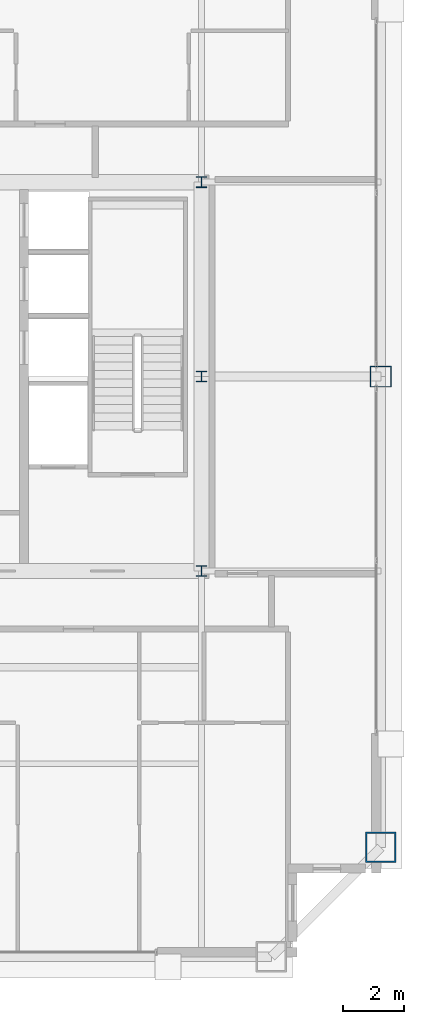
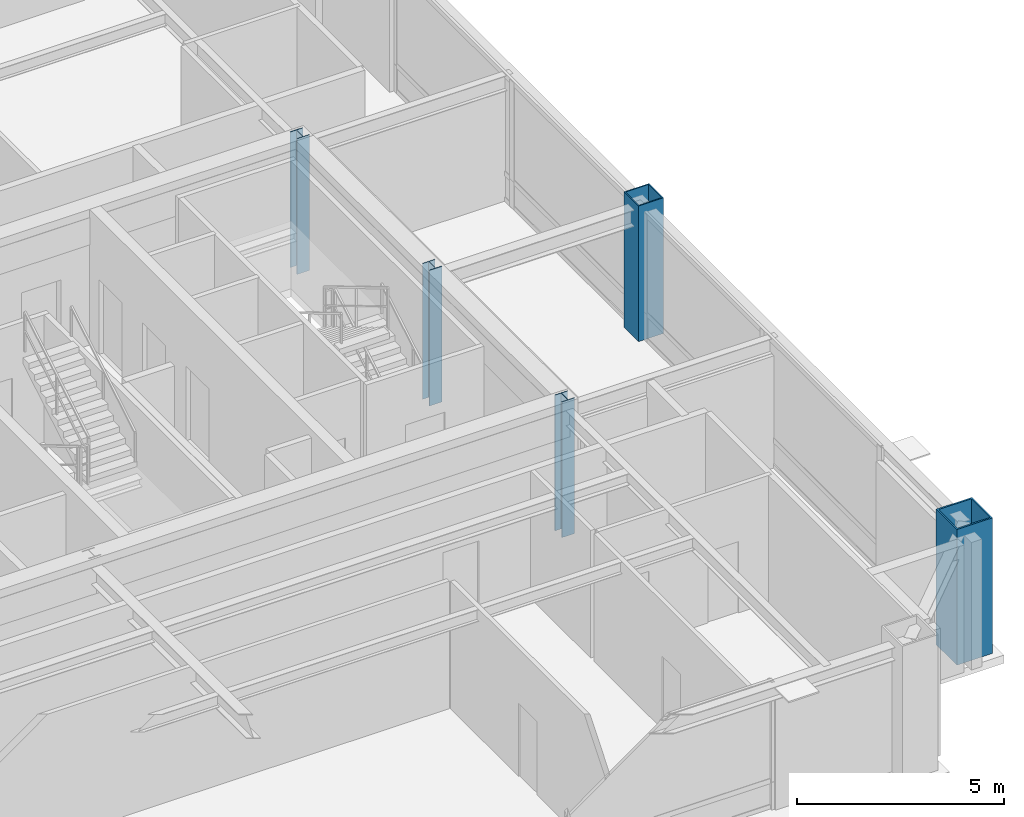
# One storey, part 2 of 34: 5 columns.
"""IFC4 building model written with IfcOpenShell, lengths in metres."""

from ifc_helpers import new_model, si_unit, direction, frame, origin, origin_2d, place, context, subcontext, project, spatial, hollow_rectangle, i_section, extrude, source, transform, mapped, material, material_profile, profile_set, type_object, element, save


model = new_model("IFC4")

# Units and contexts
model_context = context("Model", 3, precision=1e-05, world=origin(), true_north=direction((0.0, 1.0)))
body_context = subcontext(model_context, "Body", "Model", "MODEL_VIEW")
ifc_project = project(units=[si_unit("LENGTHUNIT", "METRE"), si_unit("AREAUNIT", "SQUARE_METRE"), si_unit("VOLUMEUNIT", "CUBIC_METRE"), si_unit("PLANEANGLEUNIT", "RADIAN"), si_unit("MASSUNIT", "GRAM", prefix="KILO"), si_unit("THERMODYNAMICTEMPERATUREUNIT", "KELVIN"), si_unit("POWERUNIT", "WATT")], contexts=[model_context])

# Site, building, storey
site_placement = place(None, origin())
site = spatial("IfcSite", under=ifc_project, at=site_placement, CompositionType="ELEMENT")
building_placement = place(site_placement, origin())
building = spatial("IfcBuilding", under=site, at=building_placement, Name="Yuzanri Waterfront Tower", CompositionType="ELEMENT")
storey_placement = place(building_placement, frame((0.0, 0.0, 339.199951171875)))
storey = spatial("IfcBuildingStorey", under=building, at=storey_placement, Name="L91", CompositionType="ELEMENT", Elevation=339.199951171875)

# Columns
ifc_material_1 = material(Name="Steel Q355B", Category="steel")
ifc_material_profile_1 = material_profile(ifc_material_1, i_section(OverallWidth=0.35009765625, OverallDepth=0.35009765625, WebThickness=0.011962890625, FlangeThickness=0.01904296875, at=origin_2d()), Name="HW 350x350x12x19")
ifc_profile_set_1 = profile_set([ifc_material_profile_1], Name="Steel Q355B")
column_type_1 = type_object("IfcColumnType", Name="Core Post Q355B HW 350x350x12x19", PredefinedType="COLUMN", material=ifc_profile_set_1)
shared_shape_1 = source(origin(), body_context, "Body", "SweptSolid", [
    extrude(i_section(OverallWidth=0.35009765625, OverallDepth=0.35009765625, WebThickness=0.011962890625, FlangeThickness=0.01904296875, at=origin_2d()), origin(), (0.0, 0.0, 1.0), 4.0),
])
for number, where, z_axis, x_axis, name in (
    (1, (50.199951171875, 19.39990234375, 0.0), (0.0, 0.0, 1.0), (1.0, 0.0, 0.0), "L91 Core Boundary Column CP3"),
    (2, (50.199951171875, 25.800048828125, 0.0), (0.0, 0.0, 1.0), (1.0, 0.0, 0.0), "L91 Core Boundary Column CP5"),
    (3, (50.199951171875, 32.199951171875, 0.0), (0.0, 0.0, 1.0), (1.0, 0.0, 0.0), "L91 Core Boundary Column CP8"),
):
    element("IfcColumn", number, at=place(storey_placement, frame(where, z_axis=z_axis, x_axis=x_axis)), inside=storey, type_object=column_type_1, Name=name, PredefinedType="COLUMN", context=body_context, shape_type="MappedRepresentation", body=[
        mapped(shared_shape_1, transform((0.0, 0.0, 0.0), scale=1.0)),
    ])
ifc_material_2 = material(Name="Steel Q390GJC", Category="steel")
ifc_material_profile_2 = material_profile(ifc_material_2, hollow_rectangle(XDim=1.0, YDim=1.0, WallThickness=0.048095703125, at=origin_2d()), Name="RHS 1000x1000x48")
ifc_profile_set_2 = profile_set([ifc_material_profile_2], Name="Steel Q390GJC")
column_type_2 = type_object("IfcColumnType", Name="Mega Column Q390GJC RHS 1000x1000x48", PredefinedType="COLUMN", material=ifc_profile_set_2)
shared_shape_2 = source(origin(), body_context, "Body", "SweptSolid", [
    extrude(hollow_rectangle(XDim=1.0, YDim=1.0, WallThickness=0.048095703125, at=origin_2d()), origin(), (0.0, 0.0, 1.0), 4.0),
])
column_1_placement = place(storey_placement, frame((56.10009765625, 10.300048828125, 0.0), z_axis=(0.0, 0.0, 1.0), x_axis=(1.0, 0.0, 0.0)))
element("IfcColumn", 4, at=column_1_placement, inside=storey, type_object=column_type_2, Name="L91 Perimeter Mega Column E1", PredefinedType="COLUMN", context=body_context, shape_type="MappedRepresentation", body=[
    mapped(shared_shape_2, transform((0.0, 0.0, 0.0), scale=1.0)),
])
ifc_material_3 = material(Name="Steel Q355B", Category="steel")
ifc_material_profile_3 = material_profile(ifc_material_3, hollow_rectangle(XDim=0.699951171875, YDim=0.699951171875, WallThickness=0.031982421875, at=origin_2d()), Name="RHS 700x700x32")
ifc_profile_set_3 = profile_set([ifc_material_profile_3], Name="Steel Q355B")
column_type_3 = type_object("IfcColumnType", Name="Frame Column Q355B RHS 700x700x32", PredefinedType="COLUMN", material=ifc_profile_set_3)
shared_shape_3 = source(origin(), body_context, "Body", "SweptSolid", [
    extrude(hollow_rectangle(XDim=0.699951171875, YDim=0.699951171875, WallThickness=0.031982421875, at=origin_2d()), origin(), (0.0, 0.0, 1.0), 4.0),
])
column_2_placement = place(storey_placement, frame((56.10009765625, 25.800048828125, 0.0), z_axis=(0.0, 0.0, 1.0), x_axis=(1.0, 0.0, 0.0)))
element("IfcColumn", 5, at=column_2_placement, inside=storey, type_object=column_type_3, Name="L91 Perimeter Frame Column E2", PredefinedType="COLUMN", context=body_context, shape_type="MappedRepresentation", body=[
    mapped(shared_shape_3, transform((0.0, 0.0, 0.0), scale=1.0)),
])

save(model, "model.ifc")
